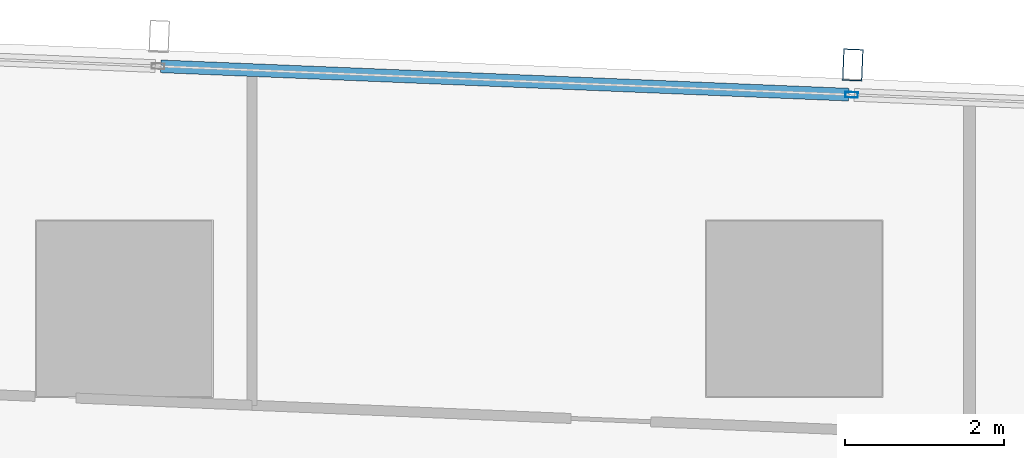
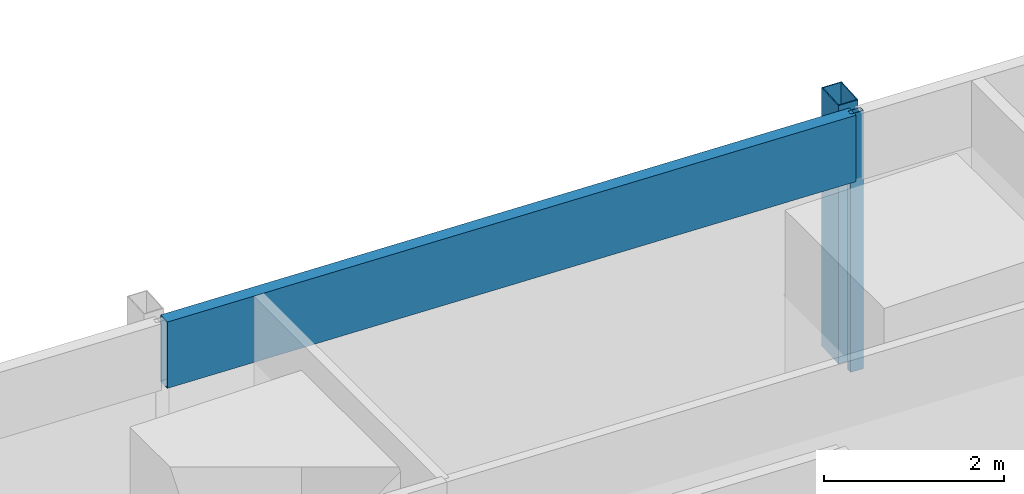
# One storey, part 21 of 42: 3 members, 1 element without a shape of its own.
"""IFC4 building model written with IfcOpenShell, lengths in metres."""

from ifc_helpers import new_model, si_unit, direction, frame, origin, origin_2d, place, context, subcontext, project, spatial, hollow_rectangle, extrude, material, material_profile, profile_set, type_object, element, aggregate, save


model = new_model("IFC4")

# Units and contexts
model_context = context("Model", 3, precision=1e-05, world=origin(), true_north=direction((0.0, 1.0)))
body_context = subcontext(model_context, "Body", "Model", "MODEL_VIEW")
ifc_project = project(units=[si_unit("LENGTHUNIT", "METRE"), si_unit("AREAUNIT", "SQUARE_METRE"), si_unit("VOLUMEUNIT", "CUBIC_METRE"), si_unit("PLANEANGLEUNIT", "RADIAN"), si_unit("MASSUNIT", "GRAM", prefix="KILO")], contexts=[model_context])

# Site, building, storey
site_placement = place(None, origin())
site = spatial("IfcSite", under=ifc_project, at=site_placement, CompositionType="ELEMENT")
building_placement = place(site_placement, origin())
building = spatial("IfcBuilding", under=site, at=building_placement, Name="Rekha Terrace Tower", CompositionType="ELEMENT")
storey_placement = place(building_placement, frame((0.0, 0.0, 40.39990234375)))
storey = spatial("IfcBuildingStorey", under=building, at=storey_placement, Name="L09", CompositionType="ELEMENT", Elevation=40.39990234375)

# Curtain wall, members
ifc_material_1 = material(Name="Aluminium framing", Category="aluminium")
curtain_wall_type = type_object("IfcCurtainWallType", Name="CW3 north unitised glazing", PredefinedType="USERDEFINED", material=ifc_material_1)
curtain_wall_placement = place(storey_placement, origin())
curtain_wall = element("IfcCurtainWall", 1, at=curtain_wall_placement, inside=storey, type_object=curtain_wall_type, Name="CW3 unitised curtain wall", ObjectType="UNITISED CURTAIN WALL", PredefinedType="USERDEFINED")
ifc_material_2 = material(Name="Steel S355 with fluorocarbon finish", Category="steel")
ifc_material_profile_1 = material_profile(ifc_material_2, hollow_rectangle(XDim=0.25, YDim=0.39990234375, WallThickness=0.012451171875, at=origin_2d()), Name="RHS400x250x12.5")
ifc_profile_set_1 = profile_set([ifc_material_profile_1], Name="Steel S355 with fluorocarbon finish")
member_type_1 = type_object("IfcMemberType", Name="BL1 facade blade RHS 400 x 250", PredefinedType="USERDEFINED", material=ifc_profile_set_1)
member_1_placement = place(storey_placement, frame((42.73388671875, 61.857421875, 0.0), z_axis=(0.0, 0.0, 1.0), x_axis=(-0.99915196507, 0.041174636562, 0.0)))
member_1 = element("IfcMember", 2, at=member_1_placement, type_object=member_type_1, Name="Facade blade", ObjectType="FACADE BLADE", PredefinedType="USERDEFINED", context=body_context, shape_type="SweptSolid", body=[
    extrude(hollow_rectangle(XDim=0.25, YDim=0.39990234375, WallThickness=0.012451171875, at=origin_2d()), origin(), (0.0, 0.0, 1.0), 3.5),
])
ifc_material_3 = material(Name="Aluminium mullion section", Category="aluminium")
ifc_material_profile_2 = material_profile(ifc_material_3, hollow_rectangle(XDim=0.070068359375, YDim=0.159912109375, WallThickness=0.00390625, at=origin_2d()), Name="AL RHS 70x160")
ifc_profile_set_2 = profile_set([ifc_material_profile_2], Name="Aluminium mullion section")
member_type_2 = type_object("IfcMemberType", Name="CW3 mullion RHS 70 x 160", PredefinedType="MULLION", material=ifc_profile_set_2)
member_2_placement = place(storey_placement, frame((42.718505859375, 61.48291015625, 0.0), z_axis=(0.0, 0.0, 1.0), x_axis=(-0.041173846041, -0.999151997647, 0.0)))
member_2 = element("IfcMember", 3, at=member_2_placement, type_object=member_type_2, Name="CW3 mullion 4", PredefinedType="MULLION", context=body_context, shape_type="SweptSolid", body=[
    extrude(hollow_rectangle(XDim=0.070068359375, YDim=0.159912109375, WallThickness=0.00390625, at=origin_2d()), origin(), (0.0, 0.0, 1.0), 3.5),
])
ifc_material_4 = material(Name="Insulated aluminium spandrel box", Category="aluminium")
ifc_material_profile_3 = material_profile(ifc_material_4, hollow_rectangle(XDim=0.159912109375, YDim=0.89990234375, WallThickness=0.0029296875, at=origin_2d()), Name="AL SPANDREL BOX 160x900")
ifc_profile_set_3 = profile_set([ifc_material_profile_3], Name="Insulated aluminium spandrel box")
member_type_3 = type_object("IfcMemberType", Name="CW3 spandrel transom 160 x 900", PredefinedType="USERDEFINED", material=ifc_profile_set_3)
member_3_placement = place(storey_placement, frame((42.68359375, 61.484375, 3.050048828125), z_axis=(-0.999152128669, 0.041170666459, 0.0), x_axis=(-0.041170666459, -0.999152128669, 0.0)))
member_3 = element("IfcMember", 4, at=member_3_placement, type_object=member_type_3, Name="CW3 spandrel transom 4", ObjectType="TRANSOM", PredefinedType="USERDEFINED", context=body_context, shape_type="SweptSolid", body=[
    extrude(hollow_rectangle(XDim=0.159912109375, YDim=0.89990234375, WallThickness=0.0029296875, at=origin_2d()), origin(), (0.0, 0.0, 1.0), 8.634033203125),
])
aggregate(curtain_wall, [member_2, member_3, member_1])

save(model, "model.ifc")
